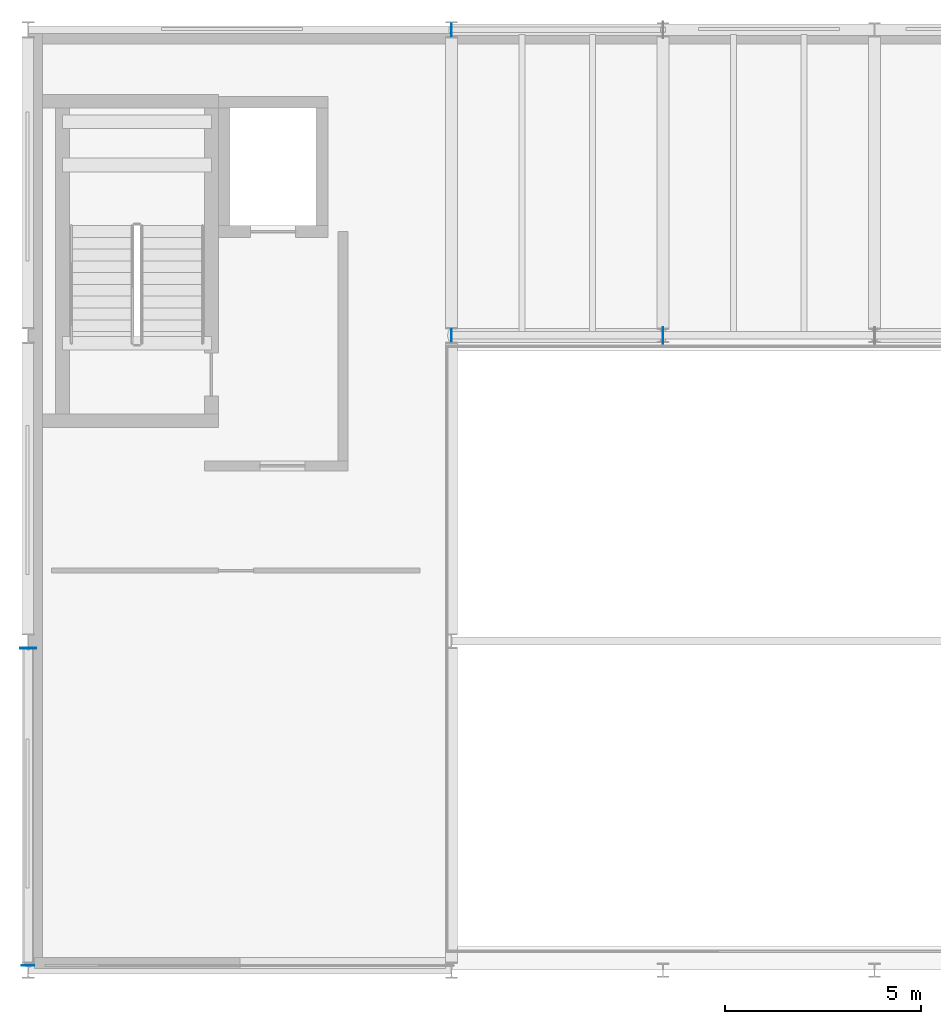
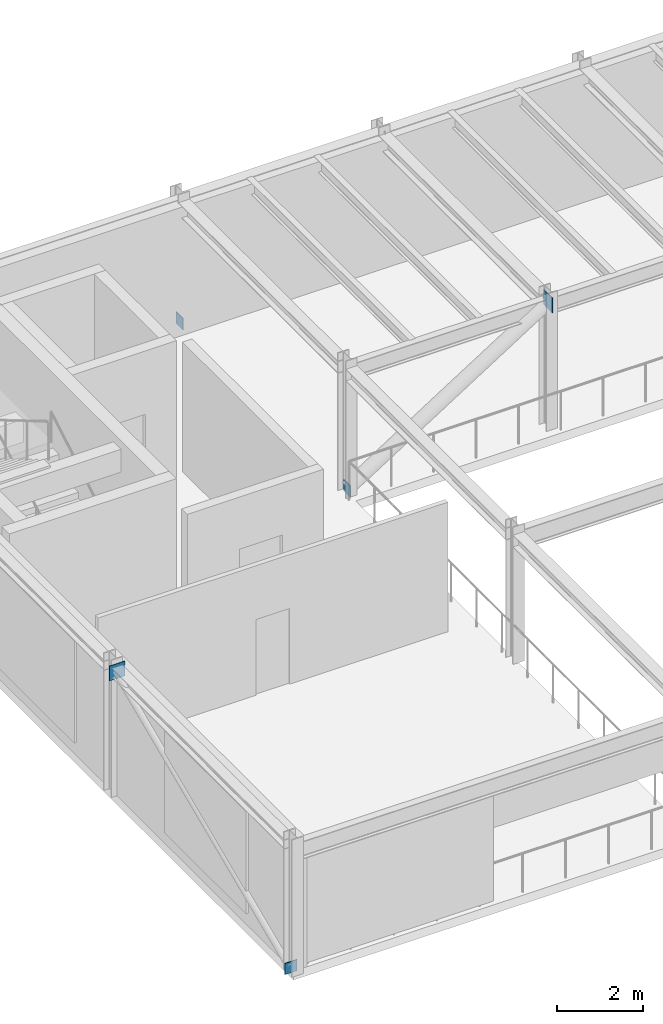
# One storey, part 4 of 12: 5 plates.
"""IFC4 building model written with IfcOpenShell, lengths in metres."""

from ifc_helpers import new_model, si_unit, direction, frame, origin, origin_2d, place, context, subcontext, project, spatial, rectangle, extrude, material, layer, layer_set, type_object, element, save


model = new_model("IFC4")

# Units and contexts
model_context = context("Model", 3, precision=1e-05, world=origin(), true_north=direction((0.0, 1.0)))
body_context = subcontext(model_context, "Body", "Model", "MODEL_VIEW")
ifc_project = project(units=[si_unit("LENGTHUNIT", "METRE"), si_unit("AREAUNIT", "SQUARE_METRE"), si_unit("VOLUMEUNIT", "CUBIC_METRE"), si_unit("PLANEANGLEUNIT", "RADIAN"), si_unit("MASSUNIT", "GRAM", prefix="KILO")], contexts=[model_context])

# Site, building, storey
site_placement = place(None, origin())
site = spatial("IfcSite", under=ifc_project, at=site_placement, CompositionType="ELEMENT")
building_placement = place(site_placement, origin())
building = spatial("IfcBuilding", under=site, at=building_placement, Name="Tazoul Stagehouse", CompositionType="ELEMENT")
storey_placement = place(building_placement, frame((0.0, 0.0, 17.10009765625)))
storey = spatial("IfcBuildingStorey", under=building, at=storey_placement, Name="L04", CompositionType="ELEMENT", Elevation=17.10009765625)

# Plates
ifc_material = material(Name="Steel S355", Category="steel")
ifc_layer_1 = layer(ifc_material, 0.02001953125, Name="Steel S355")
ifc_layer_set_1 = layer_set([ifc_layer_1], Name="Steel S355")
plate_type_1 = type_object("IfcPlateType", Name="Steel Brace End-Cap Plate 320x320x20", PredefinedType="USERDEFINED", material=ifc_layer_set_1)
plate_1_placement = place(storey_placement, frame((68.39990234375, 104.0, -0.0400390625), z_axis=(0.0, 0.0, 1.0), x_axis=(1.0, 0.0, 0.0)))
element("IfcPlate", 1, at=plate_1_placement, inside=storey, type_object=plate_type_1, Name="L04 Gusset End-Cap Plate GP-01 (BR-FT-L04-IN1-1)", ObjectType="GUSSET PLATE", PredefinedType="USERDEFINED", context=body_context, shape_type="SweptSolid", body=[
    extrude(rectangle(XDim=0.02001953125, YDim=0.320068359375, at=origin_2d()), origin(), (0.0, 0.0, 1.0), 0.320068359375),
])
ifc_layer_2 = layer(ifc_material, 0.02001953125, Name="Steel S355")
ifc_layer_set_2 = layer_set([ifc_layer_2], Name="Steel S355")
plate_type_2 = type_object("IfcPlateType", Name="Steel Brace End-Cap Plate 320x320x20 (Exterior)", PredefinedType="USERDEFINED", material=ifc_layer_set_2)
for number, where, z_axis, x_axis, name in (
    (2, (57.60009765625, 87.919921875, -0.1103515625), (0.0, 0.0, 1.0), (0.0, 1.0, 0.0), "L04 Gusset End-Cap Plate GP-01E (BR-FT-L04-W1-1)"),
    (3, (68.39990234375, 111.800048828125, -0.01025390625), (0.0, 0.0, 1.0), (1.0, 0.0, 0.0), "L04 Gusset End-Cap Plate GP-01E (BR-FT-L04-N1-1)"),
):
    element("IfcPlate", number, at=place(storey_placement, frame(where, z_axis=z_axis, x_axis=x_axis)), inside=storey, type_object=plate_type_2, Name=name, ObjectType="GUSSET PLATE", PredefinedType="USERDEFINED", context=body_context, shape_type="SweptSolid", body=[
        extrude(rectangle(XDim=0.02001953125, YDim=0.320068359375, at=origin_2d()), origin(), (0.0, 0.0, 1.0), 0.320068359375),
    ])
ifc_layer_3 = layer(ifc_material, 0.02392578125, Name="Steel S355")
ifc_layer_set_3 = layer_set([ifc_layer_3], Name="Steel S355")
plate_type_3 = type_object("IfcPlateType", Name="Steel Gusset Node Plate 420x420x24", PredefinedType="USERDEFINED", material=ifc_layer_set_3)
plate_2_placement = place(storey_placement, frame((73.800048828125, 104.0, 3.33984375), z_axis=(0.0, 0.0, 1.0), x_axis=(1.0, 0.0, 0.0)))
element("IfcPlate", 4, at=plate_2_placement, inside=storey, type_object=plate_type_3, Name="L04 Gusset End-Cap Plate GP-02 (BR-FT-L04-IN1-2)", ObjectType="GUSSET PLATE", PredefinedType="USERDEFINED", context=body_context, shape_type="SweptSolid", body=[
    extrude(rectangle(XDim=0.02392578125, YDim=0.419921875, at=origin_2d()), origin(), (0.0, 0.0, 1.0), 0.419921875),
])
ifc_layer_4 = layer(ifc_material, 0.02392578125, Name="Steel S355")
ifc_layer_set_4 = layer_set([ifc_layer_4], Name="Steel S355")
plate_type_4 = type_object("IfcPlateType", Name="Steel Gusset Node Plate 420x420x24 (Exterior)", PredefinedType="USERDEFINED", material=ifc_layer_set_4)
plate_3_placement = place(storey_placement, frame((57.60009765625, 96.02001953125, 3.33984375), z_axis=(0.0, 0.0, 1.0), x_axis=(0.0, 1.0, 0.0)))
element("IfcPlate", 5, at=plate_3_placement, inside=storey, type_object=plate_type_4, Name="L04 Gusset End-Cap Plate GP-02E (BR-FT-L04-W1-2)", ObjectType="GUSSET PLATE", PredefinedType="USERDEFINED", context=body_context, shape_type="SweptSolid", body=[
    extrude(rectangle(XDim=0.02392578125, YDim=0.419921875, at=origin_2d()), origin(), (0.0, 0.0, 1.0), 0.419921875),
])

save(model, "model.ifc")
